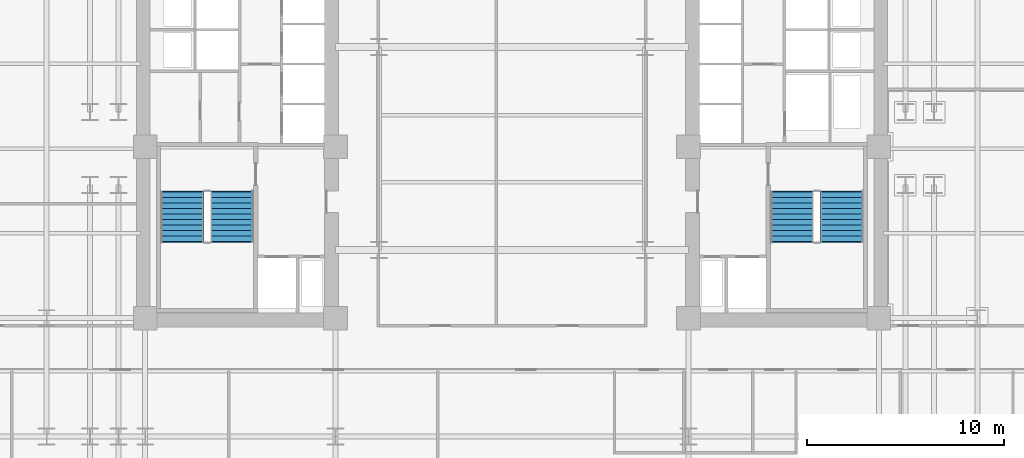
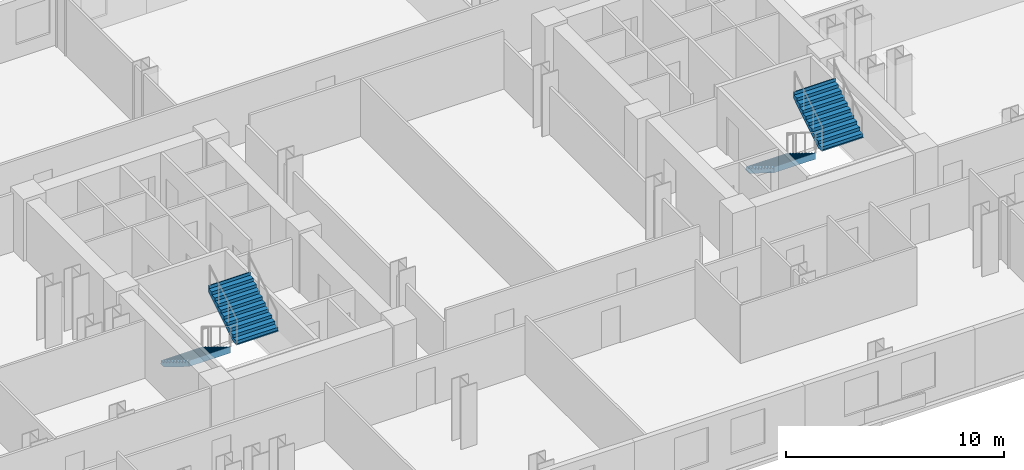
# One storey, part 8 of 10: 4 stair flights, 2 elements without a shape of their own.
"""IFC4 building model written with IfcOpenShell, lengths in metres."""

from ifc_helpers import new_model, si_unit, direction, frame, origin, place, context, subcontext, project, spatial, polyline, outline, extrude, material, layer, layer_set, type_object, element, aggregate, save


model = new_model("IFC4")

# Units and contexts
model_context = context("Model", 3, precision=1e-05, world=origin(), true_north=direction((0.0, 1.0)))
body_context = subcontext(model_context, "Body", "Model", "MODEL_VIEW")
ifc_project = project(units=[si_unit("LENGTHUNIT", "METRE"), si_unit("AREAUNIT", "SQUARE_METRE"), si_unit("VOLUMEUNIT", "CUBIC_METRE"), si_unit("PLANEANGLEUNIT", "RADIAN"), si_unit("MASSUNIT", "GRAM", prefix="KILO")], contexts=[model_context])

# Site, building, storey
site_placement = place(None, origin())
site = spatial("IfcSite", under=ifc_project, at=site_placement, CompositionType="ELEMENT")
building_placement = place(site_placement, origin())
building = spatial("IfcBuilding", under=site, at=building_placement, Name="Velakula Bourse", CompositionType="ELEMENT")
storey_placement = place(building_placement, frame((0.0, 0.0, 41.550048828125)))
storey = spatial("IfcBuildingStorey", under=building, at=storey_placement, Name="L10", CompositionType="ELEMENT", Elevation=41.550048828125)

# Stair, stair flights
ifc_material = material(Name="Concrete M45 (fck 45 MPa)", Category="concrete")
stair_type = type_object("IfcStairType", Name="STR-DOG-390", PredefinedType="HALF_TURN_STAIR", material=ifc_material)
stair_1_placement = place(storey_placement, origin())
stair_1 = element("IfcStair", 1, at=stair_1_placement, inside=storey, type_object=stair_type, Name="L10 West Core Exit Stair ST-W1", PredefinedType="HALF_TURN_STAIR")
ifc_layer = layer(ifc_material, 0.195068359375, Name="Concrete M45 (fck 45 MPa)", Category="concrete")
ifc_layer_set = layer_set([ifc_layer], Name="Concrete M45 (fck 45 MPa)")
stair_flight_type = type_object("IfcStairFlightType", Name="FLT-DOG-390", PredefinedType="STRAIGHT", material=ifc_layer_set)
stair_flight_1_placement = place(storey_placement, frame((-16.720947265625, -2.199951171875, 0.0), z_axis=(0.0, 0.0, 1.0), x_axis=(0.0, -1.0, 0.0)))
stair_flight_1 = element("IfcStairFlight", 2, at=stair_flight_1_placement, type_object=stair_flight_type, Name="ST-W1 flight 1", NumberOfRisers=10, NumberOfTreads=9, PredefinedType="STRAIGHT", RiserHeight=0.1725, TreadLength=0.28, context=body_context, shape_type="SweptSolid", body=[
    extrude(outline(polyline([(-0.044921875, -0.0400390625), (-0.044921875, -0.036865234375), (-0.044921875, -0.033935546875), (-0.044921875, -0.03076171875), (-0.044921875, -0.027587890625), (-0.044921875, -0.024658203125), (-0.044921875, -0.021484375), (-0.044921875, -0.0185546875), (-0.044921875, -0.015380859375), (-0.044921875, -0.01220703125), (-0.044921875, -0.00927734375), (-0.044921875, -0.006103515625), (-0.044921875, -0.003173828125), (-0.044921875, 0.0), (0.0, 0.0), (0.0, 0.172607421875), (0.280029296875, 0.172607421875), (0.280029296875, 0.344970703125), (0.56005859375, 0.344970703125), (0.56005859375, 0.517578125), (0.840087890625, 0.517578125), (0.840087890625, 0.68994140625), (1.1201171875, 0.68994140625), (1.1201171875, 0.862548828125), (1.39990234375, 0.862548828125), (1.39990234375, 1.034912109375), (1.679931640625, 1.034912109375), (1.679931640625, 1.20751953125), (1.9599609375, 1.20751953125), (1.9599609375, 1.3798828125), (2.239990234375, 1.3798828125), (2.239990234375, 1.552490234375), (2.52001953125, 1.552490234375), (2.52001953125, 1.72509765625), (2.56494140625, 1.72509765625), (2.56494140625, 1.7001953125), (2.56494140625, 1.67529296875), (2.56494140625, 1.650390625), (2.56494140625, 1.62548828125), (2.56494140625, 1.6005859375), (2.56494140625, 1.57568359375), (2.56494140625, 1.55078125), (2.56494140625, 1.52587890625), (2.56494140625, 1.5009765625), (2.56494140625, 1.47607421875), (2.56494140625, 1.451171875), (2.56494140625, 1.42626953125), (2.56494140625, 1.4013671875), (2.56494140625, 1.37646484375), (0.285888671875, -0.0400390625), (-0.044921875, -0.0400390625)])), frame((0.0, 1.09912109375, 0.0), z_axis=(0.0, -1.0, 0.0), x_axis=(1.0, 0.0, 0.0)), (0.0, 0.0, 1.0), 2.197998046875),
])
stair_flight_2_placement = place(storey_placement, frame((-14.198974609375, -4.719970703125, 1.724853515625), z_axis=(0.0, 0.0, 1.0), x_axis=(0.0, 1.0, 0.0)))
stair_flight_2 = element("IfcStairFlight", 3, at=stair_flight_2_placement, type_object=stair_flight_type, Name="ST-W1 flight 2", NumberOfRisers=10, NumberOfTreads=9, PredefinedType="STRAIGHT", RiserHeight=0.1725, TreadLength=0.28, context=body_context, shape_type="SweptSolid", body=[
    extrude(outline(polyline([(-0.044921875, -0.0400390625), (-0.044921875, -0.036865234375), (-0.044921875, -0.033935546875), (-0.044921875, -0.03076171875), (-0.044921875, -0.027587890625), (-0.044921875, -0.024658203125), (-0.044921875, -0.021484375), (-0.044921875, -0.0185546875), (-0.044921875, -0.015380859375), (-0.044921875, -0.01220703125), (-0.044921875, -0.00927734375), (-0.044921875, -0.006103515625), (-0.044921875, -0.003173828125), (-0.044921875, 0.0), (0.0, 0.0), (0.0, 0.172607421875), (0.280029296875, 0.172607421875), (0.280029296875, 0.344970703125), (0.56005859375, 0.344970703125), (0.56005859375, 0.517578125), (0.840087890625, 0.517578125), (0.840087890625, 0.68994140625), (1.1201171875, 0.68994140625), (1.1201171875, 0.862548828125), (1.39990234375, 0.862548828125), (1.39990234375, 1.034912109375), (1.679931640625, 1.034912109375), (1.679931640625, 1.20751953125), (1.9599609375, 1.20751953125), (1.9599609375, 1.3798828125), (2.239990234375, 1.3798828125), (2.239990234375, 1.552490234375), (2.52001953125, 1.552490234375), (2.52001953125, 1.72509765625), (2.56494140625, 1.72509765625), (2.56494140625, 1.7001953125), (2.56494140625, 1.67529296875), (2.56494140625, 1.650390625), (2.56494140625, 1.62548828125), (2.56494140625, 1.6005859375), (2.56494140625, 1.57568359375), (2.56494140625, 1.55078125), (2.56494140625, 1.52587890625), (2.56494140625, 1.5009765625), (2.56494140625, 1.47607421875), (2.56494140625, 1.451171875), (2.56494140625, 1.42626953125), (2.56494140625, 1.4013671875), (2.56494140625, 1.37646484375), (0.285888671875, -0.0400390625), (-0.044921875, -0.0400390625)])), frame((0.0, 1.09912109375, 0.0), z_axis=(0.0, -1.0, 0.0), x_axis=(1.0, 0.0, 0.0)), (0.0, 0.0, 1.0), 2.197998046875),
])
aggregate(stair_1, [stair_flight_1, stair_flight_2])

stair_2_placement = place(storey_placement, origin())
stair_2 = element("IfcStair", 4, at=stair_2_placement, inside=storey, type_object=stair_type, Name="L10 East Core Exit Stair ST-E1", PredefinedType="HALF_TURN_STAIR")
stair_flight_3_placement = place(storey_placement, frame((14.198974609375, -2.199951171875, 0.0), z_axis=(0.0, 0.0, 1.0), x_axis=(0.0, -1.0, 0.0)))
stair_flight_3 = element("IfcStairFlight", 5, at=stair_flight_3_placement, type_object=stair_flight_type, Name="ST-E1 flight 1", NumberOfRisers=10, NumberOfTreads=9, PredefinedType="STRAIGHT", RiserHeight=0.1725, TreadLength=0.28, context=body_context, shape_type="SweptSolid", body=[
    extrude(outline(polyline([(-0.044921875, -0.0400390625), (-0.044921875, -0.036865234375), (-0.044921875, -0.033935546875), (-0.044921875, -0.03076171875), (-0.044921875, -0.027587890625), (-0.044921875, -0.024658203125), (-0.044921875, -0.021484375), (-0.044921875, -0.0185546875), (-0.044921875, -0.015380859375), (-0.044921875, -0.01220703125), (-0.044921875, -0.00927734375), (-0.044921875, -0.006103515625), (-0.044921875, -0.003173828125), (-0.044921875, 0.0), (0.0, 0.0), (0.0, 0.172607421875), (0.280029296875, 0.172607421875), (0.280029296875, 0.344970703125), (0.56005859375, 0.344970703125), (0.56005859375, 0.517578125), (0.840087890625, 0.517578125), (0.840087890625, 0.68994140625), (1.1201171875, 0.68994140625), (1.1201171875, 0.862548828125), (1.39990234375, 0.862548828125), (1.39990234375, 1.034912109375), (1.679931640625, 1.034912109375), (1.679931640625, 1.20751953125), (1.9599609375, 1.20751953125), (1.9599609375, 1.3798828125), (2.239990234375, 1.3798828125), (2.239990234375, 1.552490234375), (2.52001953125, 1.552490234375), (2.52001953125, 1.72509765625), (2.56494140625, 1.72509765625), (2.56494140625, 1.7001953125), (2.56494140625, 1.67529296875), (2.56494140625, 1.650390625), (2.56494140625, 1.62548828125), (2.56494140625, 1.6005859375), (2.56494140625, 1.57568359375), (2.56494140625, 1.55078125), (2.56494140625, 1.52587890625), (2.56494140625, 1.5009765625), (2.56494140625, 1.47607421875), (2.56494140625, 1.451171875), (2.56494140625, 1.42626953125), (2.56494140625, 1.4013671875), (2.56494140625, 1.37646484375), (0.285888671875, -0.0400390625), (-0.044921875, -0.0400390625)])), frame((0.0, 1.09912109375, 0.0), z_axis=(0.0, -1.0, 0.0), x_axis=(1.0, 0.0, 0.0)), (0.0, 0.0, 1.0), 2.197998046875),
])
stair_flight_4_placement = place(storey_placement, frame((16.720947265625, -4.719970703125, 1.724853515625), z_axis=(0.0, 0.0, 1.0), x_axis=(0.0, 1.0, 0.0)))
stair_flight_4 = element("IfcStairFlight", 6, at=stair_flight_4_placement, type_object=stair_flight_type, Name="ST-E1 flight 2", NumberOfRisers=10, NumberOfTreads=9, PredefinedType="STRAIGHT", RiserHeight=0.1725, TreadLength=0.28, context=body_context, shape_type="SweptSolid", body=[
    extrude(outline(polyline([(-0.044921875, -0.0400390625), (-0.044921875, -0.036865234375), (-0.044921875, -0.033935546875), (-0.044921875, -0.03076171875), (-0.044921875, -0.027587890625), (-0.044921875, -0.024658203125), (-0.044921875, -0.021484375), (-0.044921875, -0.0185546875), (-0.044921875, -0.015380859375), (-0.044921875, -0.01220703125), (-0.044921875, -0.00927734375), (-0.044921875, -0.006103515625), (-0.044921875, -0.003173828125), (-0.044921875, 0.0), (0.0, 0.0), (0.0, 0.172607421875), (0.280029296875, 0.172607421875), (0.280029296875, 0.344970703125), (0.56005859375, 0.344970703125), (0.56005859375, 0.517578125), (0.840087890625, 0.517578125), (0.840087890625, 0.68994140625), (1.1201171875, 0.68994140625), (1.1201171875, 0.862548828125), (1.39990234375, 0.862548828125), (1.39990234375, 1.034912109375), (1.679931640625, 1.034912109375), (1.679931640625, 1.20751953125), (1.9599609375, 1.20751953125), (1.9599609375, 1.3798828125), (2.239990234375, 1.3798828125), (2.239990234375, 1.552490234375), (2.52001953125, 1.552490234375), (2.52001953125, 1.72509765625), (2.56494140625, 1.72509765625), (2.56494140625, 1.7001953125), (2.56494140625, 1.67529296875), (2.56494140625, 1.650390625), (2.56494140625, 1.62548828125), (2.56494140625, 1.6005859375), (2.56494140625, 1.57568359375), (2.56494140625, 1.55078125), (2.56494140625, 1.52587890625), (2.56494140625, 1.5009765625), (2.56494140625, 1.47607421875), (2.56494140625, 1.451171875), (2.56494140625, 1.42626953125), (2.56494140625, 1.4013671875), (2.56494140625, 1.37646484375), (0.285888671875, -0.0400390625), (-0.044921875, -0.0400390625)])), frame((0.0, 1.09912109375, 0.0), z_axis=(0.0, -1.0, 0.0), x_axis=(1.0, 0.0, 0.0)), (0.0, 0.0, 1.0), 2.197998046875),
])
aggregate(stair_2, [stair_flight_3, stair_flight_4])

save(model, "model.ifc")
